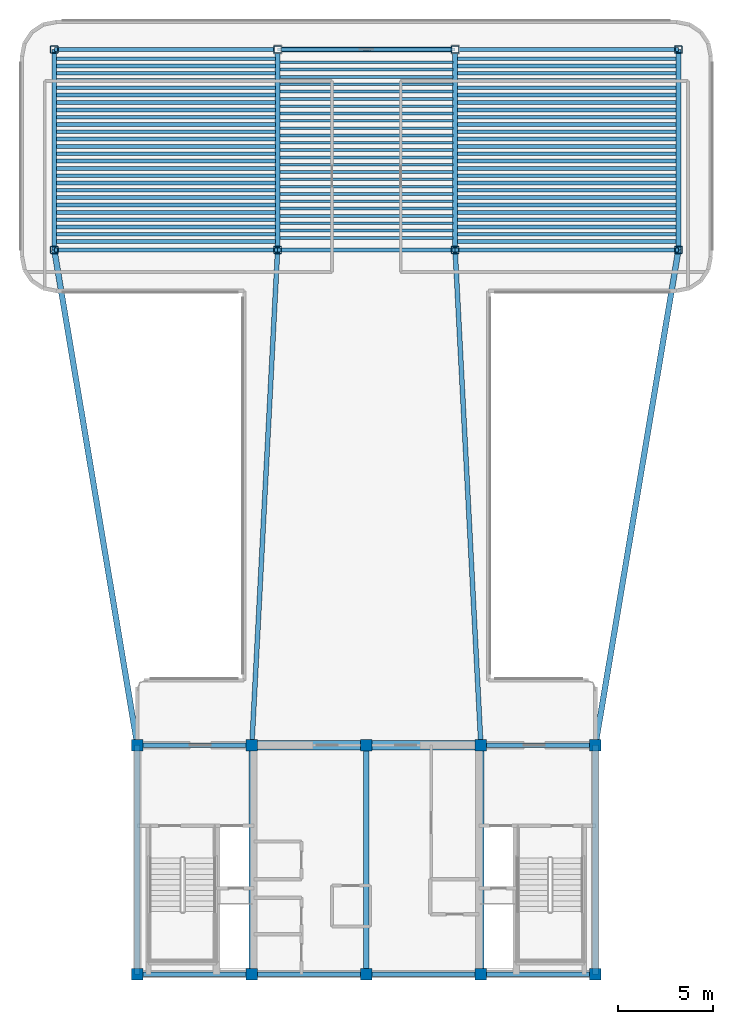
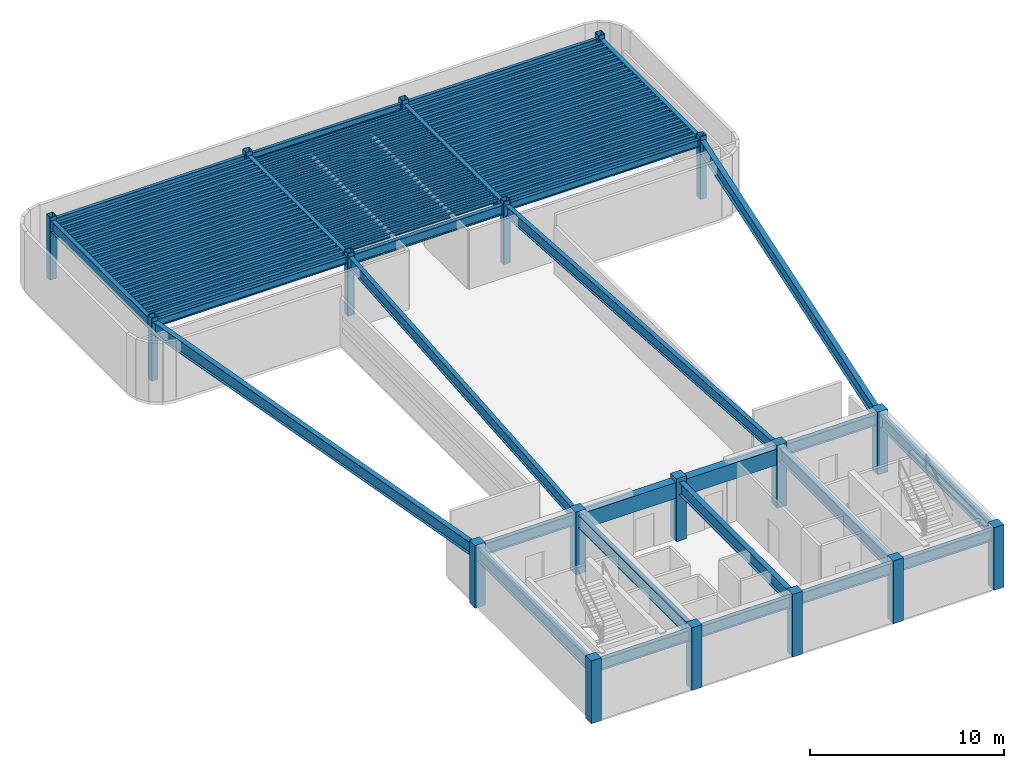
# One storey, part 1 of 6: 103 beams, 18 columns, 3 members.
"""IFC4 building model written with IfcOpenShell, lengths in metres."""

from ifc_helpers import new_model, si_unit, direction, frame, origin, origin_2d, place, context, subcontext, project, spatial, rectangle, hollow_rectangle, i_section, extrude, source, transform, mapped, material, material_profile, profile_set, type_object, element, save


model = new_model("IFC4")

# Units and contexts
model_context = context("Model", 3, precision=1e-05, world=origin(), true_north=direction((0.0, 1.0)))
body_context = subcontext(model_context, "Body", "Model", "MODEL_VIEW")
ifc_project = project(units=[si_unit("LENGTHUNIT", "METRE"), si_unit("AREAUNIT", "SQUARE_METRE"), si_unit("VOLUMEUNIT", "CUBIC_METRE"), si_unit("PLANEANGLEUNIT", "RADIAN"), si_unit("MASSUNIT", "GRAM", prefix="KILO")], contexts=[model_context])

# Site, building, storey
site_placement = place(None, origin())
site = spatial("IfcSite", under=ifc_project, at=site_placement, CompositionType="ELEMENT")
building_placement = place(site_placement, origin())
building = spatial("IfcBuilding", under=site, at=building_placement, Name="Brelvock Crest Care Tower", CompositionType="ELEMENT")
storey_placement = place(building_placement, frame((0.0, 0.0, 303.840087890625)))
storey = spatial("IfcBuildingStorey", under=building, at=storey_placement, Name="L77", CompositionType="ELEMENT", Elevation=303.840087890625)

# Columns
ifc_material_1 = material(Name="Concrete S65 (65 MPa)", Category="concrete")
ifc_material_profile_1 = material_profile(ifc_material_1, rectangle(XDim=0.60009765625, YDim=0.60009765625, at=origin_2d()), Name="RC600x600")
ifc_profile_set_1 = profile_set([ifc_material_profile_1], Name="Concrete S65 (65 MPa)")
column_type_1 = type_object("IfcColumnType", Name="COL-RC4", PredefinedType="COLUMN", material=ifc_profile_set_1)
shared_shape_1 = source(origin(), body_context, "Body", "SweptSolid", [
    extrude(rectangle(XDim=0.60009765625, YDim=0.60009765625, at=origin_2d()), origin(), (0.0, 0.0, 1.0), 3.9599609375),
])
for number, where, z_axis, x_axis, name in (
    (1, (24.0, 6.0, 0.0), (0.0, 0.0, 1.0), (1.0, 0.0, 0.0), "L77 Core Column CC-01"),
    (2, (30.0, 6.0, 0.0), (0.0, 0.0, 1.0), (1.0, 0.0, 0.0), "L77 Core Column CC-02"),
    (3, (36.0, 6.0, 0.0), (0.0, 0.0, 1.0), (1.0, 0.0, 0.0), "L77 Core Column CC-03"),
    (4, (42.0, 6.0, 0.0), (0.0, 0.0, 1.0), (1.0, 0.0, 0.0), "L77 Core Column CC-04"),
    (5, (48.0, 6.0, 0.0), (0.0, 0.0, 1.0), (1.0, 0.0, 0.0), "L77 Core Column CC-05"),
    (6, (24.0, 18.0, 0.0), (0.0, 0.0, 1.0), (1.0, 0.0, 0.0), "L77 Core Column CC-06"),
    (7, (30.0, 18.0, 0.0), (0.0, 0.0, 1.0), (1.0, 0.0, 0.0), "L77 Core Column CC-07"),
    (8, (36.0, 18.0, 0.0), (0.0, 0.0, 1.0), (1.0, 0.0, 0.0), "L77 Core Column CC-08"),
    (9, (42.0, 18.0, 0.0), (0.0, 0.0, 1.0), (1.0, 0.0, 0.0), "L77 Core Column CC-09"),
    (10, (48.0, 18.0, 0.0), (0.0, 0.0, 1.0), (1.0, 0.0, 0.0), "L77 Core Column CC-10"),
):
    element("IfcColumn", number, at=place(storey_placement, frame(where, z_axis=z_axis, x_axis=x_axis)), inside=storey, type_object=column_type_1, Name=name, PredefinedType="COLUMN", context=body_context, shape_type="MappedRepresentation", body=[
        mapped(shared_shape_1, transform((0.0, 0.0, 0.0), x_axis=(1.0, 0.0, 0.0), y_axis=(0.0, 1.0, 0.0), z_axis=(0.0, 0.0, 1.0), scale=1.0)),
    ])
ifc_material_2 = material(Name="Steel Grade 350", Category="steel")
ifc_material_profile_2 = material_profile(ifc_material_2, hollow_rectangle(XDim=0.39990234375, YDim=0.39990234375, WallThickness=0.02001953125, OuterFilletRadius=0.0400390625, at=origin_2d()), Name="SHS400x400x20.0")
ifc_profile_set_2 = profile_set([ifc_material_profile_2], Name="Steel Grade 350")
column_type_2 = type_object("IfcColumnType", Name="COL-CR1", PredefinedType="COLUMN", material=ifc_profile_set_2)
shared_shape_2 = source(origin(), body_context, "Body", "SweptSolid", [
    extrude(hollow_rectangle(XDim=0.39990234375, YDim=0.39990234375, WallThickness=0.02001953125, OuterFilletRadius=0.0400390625, at=origin_2d()), origin(), (0.0, 0.0, 1.0), 3.9599609375),
])
for number, where, z_axis, x_axis, name in (
    (11, (19.64990234375, 43.949951171875, 0.0), (0.0, 0.0, 1.0), (1.0, 0.0, 0.0), "L77 Tower Column M1"),
    (12, (19.64990234375, 54.449951171875, 0.0), (0.0, 0.0, 1.0), (1.0, 0.0, 0.0), "L77 Tower Column M2"),
    (13, (52.35009765625, 43.949951171875, 0.0), (0.0, 0.0, 1.0), (1.0, 0.0, 0.0), "L77 Tower Column M3"),
    (14, (52.35009765625, 54.449951171875, 0.0), (0.0, 0.0, 1.0), (1.0, 0.0, 0.0), "L77 Tower Column M4"),
    (15, (31.35009765625, 43.949951171875, 0.0), (0.0, 0.0, 1.0), (1.0, 0.0, 0.0), "L77 Tower Column M5"),
    (16, (40.64990234375, 43.949951171875, 0.0), (0.0, 0.0, 1.0), (1.0, 0.0, 0.0), "L77 Tower Column M6"),
    (17, (31.35009765625, 54.449951171875, 0.0), (0.0, 0.0, 1.0), (1.0, 0.0, 0.0), "L77 Tower Column M7"),
    (18, (40.64990234375, 54.449951171875, 0.0), (0.0, 0.0, 1.0), (1.0, 0.0, 0.0), "L77 Tower Column M8"),
):
    element("IfcColumn", number, at=place(storey_placement, frame(where, z_axis=z_axis, x_axis=x_axis)), inside=storey, type_object=column_type_2, Name=name, PredefinedType="COLUMN", context=body_context, shape_type="MappedRepresentation", body=[
        mapped(shared_shape_2, transform((0.0, 0.0, 0.0), x_axis=(1.0, 0.0, 0.0), y_axis=(0.0, 1.0, 0.0), z_axis=(0.0, 0.0, 1.0), scale=1.0)),
    ])

# Beams
ifc_material_profile_3 = material_profile(ifc_material_2, i_section(OverallWidth=0.25, OverallDepth=0.699951171875, WebThickness=0.011962890625, FlangeThickness=0.02001953125, at=origin_2d()), Name="700WB150")
ifc_profile_set_3 = profile_set([ifc_material_profile_3], Name="Steel Grade 350")
beam_type_1 = type_object("IfcBeamType", Name="BM-G4", PredefinedType="BEAM", material=ifc_profile_set_3)
shared_shape_3 = source(origin(), body_context, "Body", "SweptSolid", [
    extrude(i_section(OverallWidth=0.25, OverallDepth=0.699951171875, WebThickness=0.011962890625, FlangeThickness=0.02001953125, at=origin_2d()), origin(), (0.0, 0.0, 1.0), 6.0),
])
for number, where, z_axis, x_axis, name in (
    (19, (24.0, 6.0, 3.35986328125), (1.0, 0.0, 0.0), (0.0, 1.0, 0.0), "BM-CORES-L77-1"),
    (20, (24.0, 18.0, 3.35986328125), (1.0, 0.0, 0.0), (0.0, 1.0, 0.0), "BM-COREN-L77-1"),
    (21, (30.0, 6.0, 3.35986328125), (1.0, 0.0, 0.0), (0.0, 1.0, 0.0), "BM-CORES-L77-2"),
    (22, (36.0, 6.0, 3.35986328125), (1.0, 0.0, 0.0), (0.0, 1.0, 0.0), "BM-CORES-L77-3"),
    (23, (42.0, 6.0, 3.35986328125), (1.0, 0.0, 0.0), (0.0, 1.0, 0.0), "BM-CORES-L77-4"),
    (24, (42.0, 18.0, 3.35986328125), (1.0, 0.0, 0.0), (0.0, 1.0, 0.0), "BM-COREN-L77-4"),
):
    element("IfcBeam", number, at=place(storey_placement, frame(where, z_axis=z_axis, x_axis=x_axis)), inside=storey, type_object=beam_type_1, Name=name, PredefinedType="BEAM", context=body_context, shape_type="MappedRepresentation", body=[
        mapped(shared_shape_3, transform((0.0, 0.0, 0.0), x_axis=(1.0, 0.0, 0.0), y_axis=(0.0, 1.0, 0.0), z_axis=(0.0, 0.0, 1.0), scale=1.0)),
    ])
ifc_material_profile_4 = material_profile(ifc_material_2, i_section(OverallWidth=0.300048828125, OverallDepth=0.800048828125, WebThickness=0.013916015625, FlangeThickness=0.02197265625, at=origin_2d()), Name="800WB192")
ifc_profile_set_4 = profile_set([ifc_material_profile_4], Name="Steel Grade 350")
beam_type_2 = type_object("IfcBeamType", Name="BM-G5", PredefinedType="BEAM", material=ifc_profile_set_4)
shared_shape_4 = source(origin(), body_context, "Body", "SweptSolid", [
    extrude(i_section(OverallWidth=0.300048828125, OverallDepth=0.800048828125, WebThickness=0.013916015625, FlangeThickness=0.02197265625, at=origin_2d()), origin(), (0.0, 0.0, 1.0), 12.0),
])
for number, where, z_axis, x_axis, name in (
    (25, (24.0, 6.0, 3.309814453125), (0.0, 1.0, 0.0), (-1.0, 0.0, 0.0), "BM-COREX-L77-1"),
    (26, (30.0, 6.0, 3.309814453125), (0.0, 1.0, 0.0), (-1.0, 0.0, 0.0), "BM-COREX-L77-2"),
    (27, (36.0, 6.0, 3.309814453125), (0.0, 1.0, 0.0), (-1.0, 0.0, 0.0), "BM-COREX-L77-3"),
    (28, (42.0, 6.0, 3.309814453125), (0.0, 1.0, 0.0), (-1.0, 0.0, 0.0), "BM-COREX-L77-4"),
    (29, (48.0, 6.0, 3.309814453125), (0.0, 1.0, 0.0), (-1.0, 0.0, 0.0), "BM-COREX-L77-5"),
):
    element("IfcBeam", number, at=place(storey_placement, frame(where, z_axis=z_axis, x_axis=x_axis)), inside=storey, type_object=beam_type_2, Name=name, PredefinedType="BEAM", context=body_context, shape_type="MappedRepresentation", body=[
        mapped(shared_shape_4, transform((0.0, 0.0, 0.0), x_axis=(1.0, 0.0, 0.0), y_axis=(0.0, 1.0, 0.0), z_axis=(0.0, 0.0, 1.0), scale=1.0)),
    ])
shared_shape_5 = source(origin(), body_context, "Body", "SweptSolid", [
    extrude(i_section(OverallWidth=0.25, OverallDepth=0.699951171875, WebThickness=0.011962890625, FlangeThickness=0.02001953125, at=origin_2d()), origin(), (0.0, 0.0, 1.0), 10.5),
])
for number, where, z_axis, x_axis, name in (
    (30, (19.64990234375, 43.949951171875, 3.35986328125), (0.0, 1.0, 0.0), (-1.0, 0.0, 0.0), "BM-TWR-L77-01"),
    (31, (52.35009765625, 43.949951171875, 3.35986328125), (0.0, 1.0, 0.0), (-1.0, 0.0, 0.0), "BM-TWR-L77-02"),
    (32, (31.35009765625, 43.949951171875, 3.35986328125), (0.0, 1.0, 0.0), (-1.0, 0.0, 0.0), "BM-TWR-L77-09"),
    (33, (40.64990234375, 43.949951171875, 3.35986328125), (0.0, 1.0, 0.0), (-1.0, 0.0, 0.0), "BM-TWR-L77-10"),
):
    element("IfcBeam", number, at=place(storey_placement, frame(where, z_axis=z_axis, x_axis=x_axis)), inside=storey, type_object=beam_type_1, Name=name, PredefinedType="BEAM", context=body_context, shape_type="MappedRepresentation", body=[
        mapped(shared_shape_5, transform((0.0, 0.0, 0.0), x_axis=(1.0, 0.0, 0.0), y_axis=(0.0, 1.0, 0.0), z_axis=(0.0, 0.0, 1.0), scale=1.0)),
    ])
ifc_material_profile_5 = material_profile(ifc_material_2, i_section(OverallWidth=0.22900390625, OverallDepth=0.612060546875, WebThickness=0.011962890625, FlangeThickness=0.01953125, FilletRadius=0.013916015625, at=origin_2d()), Name="610UB125")
ifc_profile_set_5 = profile_set([ifc_material_profile_5], Name="Steel Grade 350")
beam_type_3 = type_object("IfcBeamType", Name="BM-G1", PredefinedType="BEAM", material=ifc_profile_set_5)
shared_shape_6 = source(origin(), body_context, "Body", "SweptSolid", [
    extrude(i_section(OverallWidth=0.22900390625, OverallDepth=0.612060546875, WebThickness=0.011962890625, FlangeThickness=0.01953125, FilletRadius=0.013916015625, at=origin_2d()), origin(), (0.0, 0.0, 1.0), 9.2998046875),
])
beam_1_placement = place(storey_placement, frame((31.35009765625, 43.949951171875, 3.40380859375), z_axis=(1.0, 0.0, 0.0), x_axis=(0.0, 1.0, 0.0)))
element("IfcBeam", 34, at=beam_1_placement, inside=storey, type_object=beam_type_3, Name="BM-TWR-L77-05", PredefinedType="BEAM", context=body_context, shape_type="MappedRepresentation", body=[
    mapped(shared_shape_6, transform((0.0, 0.0, 0.0), x_axis=(1.0, 0.0, 0.0), y_axis=(0.0, 1.0, 0.0), z_axis=(0.0, 0.0, 1.0), scale=1.0)),
])
ifc_material_profile_6 = material_profile(ifc_material_2, i_section(OverallWidth=0.177978515625, OverallDepth=0.406005859375, WebThickness=0.0078125, FlangeThickness=0.0126953125, FilletRadius=0.011474609375, at=origin_2d()), Name="410UB59.7")
ifc_profile_set_6 = profile_set([ifc_material_profile_6], Name="Steel Grade 350")
beam_type_4 = type_object("IfcBeamType", Name="BM-SP1", PredefinedType="SPANDREL", material=ifc_profile_set_6)
shared_shape_7 = source(origin(), body_context, "Body", "SweptSolid", [
    extrude(i_section(OverallWidth=0.177978515625, OverallDepth=0.406005859375, WebThickness=0.0078125, FlangeThickness=0.0126953125, FilletRadius=0.011474609375, at=origin_2d()), origin(), (0.0, 0.0, 1.0), 9.2998046875),
])
beam_2_placement = place(storey_placement, frame((31.35009765625, 54.449951171875, 3.5068359375), z_axis=(1.0, 0.0, 0.0), x_axis=(0.0, 1.0, 0.0)))
element("IfcBeam", 35, at=beam_2_placement, inside=storey, type_object=beam_type_4, Name="BM-TWR-L77-08", PredefinedType="SPANDREL", context=body_context, shape_type="MappedRepresentation", body=[
    mapped(shared_shape_7, transform((0.0, 0.0, 0.0), x_axis=(1.0, 0.0, 0.0), y_axis=(0.0, 1.0, 0.0), z_axis=(0.0, 0.0, 1.0), scale=1.0)),
])
ifc_material_profile_7 = material_profile(ifc_material_2, i_section(OverallWidth=0.14599609375, OverallDepth=0.256103515625, WebThickness=0.00634765625, FlangeThickness=0.010986328125, FilletRadius=0.0087890625, at=origin_2d()), Name="250UB37.3")
ifc_profile_set_7 = profile_set([ifc_material_profile_7], Name="Steel Grade 350")
beam_type_5 = type_object("IfcBeamType", Name="BM-J3", PredefinedType="JOIST", material=ifc_profile_set_7)
shared_shape_8 = source(origin(), body_context, "Body", "SweptSolid", [
    extrude(i_section(OverallWidth=0.14599609375, OverallDepth=0.256103515625, WebThickness=0.00634765625, FlangeThickness=0.010986328125, FilletRadius=0.0087890625, at=origin_2d()), origin(), (0.0, 0.0, 1.0), 9.06982421875),
])
for number, where, z_axis, x_axis, name in (
    (36, (31.465087890625, 44.58251953125, 3.58203125), (1.0, 0.0, 0.0), (0.0, 1.0, 0.0), "BM-JH-L77-1"),
    (37, (31.465087890625, 44.9658203125, 3.58203125), (1.0, 0.0, 0.0), (0.0, 1.0, 0.0), "BM-JH-L77-2"),
    (38, (31.465087890625, 45.34912109375, 3.58203125), (1.0, 0.0, 0.0), (0.0, 1.0, 0.0), "BM-JH-L77-3"),
    (39, (31.465087890625, 45.732421875, 3.58203125), (1.0, 0.0, 0.0), (0.0, 1.0, 0.0), "BM-JH-L77-4"),
    (40, (31.465087890625, 46.115478515625, 3.58203125), (1.0, 0.0, 0.0), (0.0, 1.0, 0.0), "BM-JH-L77-5"),
    (41, (31.465087890625, 46.498779296875, 3.58203125), (1.0, 0.0, 0.0), (0.0, 1.0, 0.0), "BM-JH-L77-6"),
    (42, (31.465087890625, 46.882080078125, 3.58203125), (1.0, 0.0, 0.0), (0.0, 1.0, 0.0), "BM-JH-L77-7"),
    (43, (31.465087890625, 47.265380859375, 3.58203125), (1.0, 0.0, 0.0), (0.0, 1.0, 0.0), "BM-JH-L77-8"),
    (44, (31.465087890625, 47.648681640625, 3.58203125), (1.0, 0.0, 0.0), (0.0, 1.0, 0.0), "BM-JH-L77-9"),
    (45, (31.465087890625, 48.031982421875, 3.58203125), (1.0, 0.0, 0.0), (0.0, 1.0, 0.0), "BM-JH-L77-10"),
    (46, (31.465087890625, 48.4150390625, 3.58203125), (1.0, 0.0, 0.0), (0.0, 1.0, 0.0), "BM-JH-L77-11"),
    (47, (31.465087890625, 48.79833984375, 3.58203125), (1.0, 0.0, 0.0), (0.0, 1.0, 0.0), "BM-JH-L77-12"),
    (48, (31.465087890625, 49.181640625, 3.58203125), (1.0, 0.0, 0.0), (0.0, 1.0, 0.0), "BM-JH-L77-13"),
    (49, (31.465087890625, 49.564697265625, 3.58203125), (1.0, 0.0, 0.0), (0.0, 1.0, 0.0), "BM-JH-L77-14"),
    (50, (31.465087890625, 49.947998046875, 3.58203125), (1.0, 0.0, 0.0), (0.0, 1.0, 0.0), "BM-JH-L77-15"),
    (51, (31.465087890625, 50.331298828125, 3.58203125), (1.0, 0.0, 0.0), (0.0, 1.0, 0.0), "BM-JH-L77-16"),
    (52, (31.465087890625, 50.714599609375, 3.58203125), (1.0, 0.0, 0.0), (0.0, 1.0, 0.0), "BM-JH-L77-17"),
    (53, (31.465087890625, 51.097900390625, 3.58203125), (1.0, 0.0, 0.0), (0.0, 1.0, 0.0), "BM-JH-L77-18"),
    (54, (31.465087890625, 51.481201171875, 3.58203125), (1.0, 0.0, 0.0), (0.0, 1.0, 0.0), "BM-JH-L77-19"),
    (55, (31.465087890625, 51.864501953125, 3.58203125), (1.0, 0.0, 0.0), (0.0, 1.0, 0.0), "BM-JH-L77-20"),
    (56, (31.465087890625, 52.24755859375, 3.58203125), (1.0, 0.0, 0.0), (0.0, 1.0, 0.0), "BM-JH-L77-21"),
    (57, (31.465087890625, 52.630859375, 3.58203125), (1.0, 0.0, 0.0), (0.0, 1.0, 0.0), "BM-JH-L77-22"),
    (58, (31.465087890625, 53.01416015625, 3.58203125), (1.0, 0.0, 0.0), (0.0, 1.0, 0.0), "BM-JH-L77-23"),
    (59, (31.465087890625, 53.3974609375, 3.58203125), (1.0, 0.0, 0.0), (0.0, 1.0, 0.0), "BM-JH-L77-24"),
    (60, (31.465087890625, 53.780517578125, 3.58203125), (1.0, 0.0, 0.0), (0.0, 1.0, 0.0), "BM-JH-L77-25"),
):
    element("IfcBeam", number, at=place(storey_placement, frame(where, z_axis=z_axis, x_axis=x_axis)), inside=storey, type_object=beam_type_5, Name=name, PredefinedType="JOIST", context=body_context, shape_type="MappedRepresentation", body=[
        mapped(shared_shape_8, transform((0.0, 0.0, 0.0), x_axis=(1.0, 0.0, 0.0), y_axis=(0.0, 1.0, 0.0), z_axis=(0.0, 0.0, 1.0), scale=1.0)),
    ])
ifc_material_profile_8 = material_profile(ifc_material_1, rectangle(XDim=0.5, YDim=1.0, at=origin_2d()), Name="RC500x1000")
ifc_profile_set_8 = profile_set([ifc_material_profile_8], Name="Concrete S65 (65 MPa)")
beam_type_6 = type_object("IfcBeamType", Name="BM-LN2", PredefinedType="LINTEL", material=ifc_profile_set_8)
shared_shape_9 = source(origin(), body_context, "Body", "SweptSolid", [
    extrude(rectangle(XDim=0.5, YDim=1.0, at=origin_2d()), origin(), (0.0, 0.0, 1.0), 12.0),
])
beam_3_placement = place(storey_placement, frame((30.0, 18.0, 3.2099609375), z_axis=(1.0, 0.0, 0.0), x_axis=(0.0, 1.0, 0.0)))
element("IfcBeam", 61, at=beam_3_placement, inside=storey, type_object=beam_type_6, Name="L77 Core Coupling Lintel Beam", PredefinedType="LINTEL", context=body_context, shape_type="MappedRepresentation", body=[
    mapped(shared_shape_9, transform((0.0, 0.0, 0.0), x_axis=(1.0, 0.0, 0.0), y_axis=(0.0, 1.0, 0.0), z_axis=(0.0, 0.0, 1.0), scale=1.0)),
])
ifc_material_profile_9 = material_profile(ifc_material_2, i_section(OverallWidth=0.19091796875, OverallDepth=0.4599609375, WebThickness=0.010009765625, FlangeThickness=0.01611328125, FilletRadius=0.011474609375, at=origin_2d()), Name="460UB82.1")
ifc_profile_set_9 = profile_set([ifc_material_profile_9], Name="Steel Grade 350")
beam_type_7 = type_object("IfcBeamType", Name="BM-G3", PredefinedType="BEAM", material=ifc_profile_set_9)
shared_shape_10 = source(origin(), body_context, "Body", "SweptSolid", [
    extrude(i_section(OverallWidth=0.19091796875, OverallDepth=0.4599609375, WebThickness=0.010009765625, FlangeThickness=0.01611328125, FilletRadius=0.011474609375, at=origin_2d()), origin(), (0.0, 0.0, 1.0), 11.47021484375),
])
for number, where, z_axis, x_axis, name in (
    (62, (19.764892578125, 44.7744140625, 3.47998046875), (1.0, 0.0, 0.0), (0.0, 1.0, 0.0), "BM-JW-L77-2"),
    (63, (40.764892578125, 44.7744140625, 3.47998046875), (1.0, 0.0, 0.0), (0.0, 1.0, 0.0), "BM-JE-L77-2"),
    (64, (19.764892578125, 45.540771484375, 3.47998046875), (1.0, 0.0, 0.0), (0.0, 1.0, 0.0), "BM-JW-L77-4"),
    (65, (40.764892578125, 45.540771484375, 3.47998046875), (1.0, 0.0, 0.0), (0.0, 1.0, 0.0), "BM-JE-L77-4"),
    (66, (19.764892578125, 46.307373046875, 3.47998046875), (1.0, 0.0, 0.0), (0.0, 1.0, 0.0), "BM-JW-L77-6"),
    (67, (40.764892578125, 46.307373046875, 3.47998046875), (1.0, 0.0, 0.0), (0.0, 1.0, 0.0), "BM-JE-L77-6"),
    (68, (19.764892578125, 47.07373046875, 3.47998046875), (1.0, 0.0, 0.0), (0.0, 1.0, 0.0), "BM-JW-L77-8"),
    (69, (40.764892578125, 47.07373046875, 3.47998046875), (1.0, 0.0, 0.0), (0.0, 1.0, 0.0), "BM-JE-L77-8"),
    (70, (19.764892578125, 47.84033203125, 3.47998046875), (1.0, 0.0, 0.0), (0.0, 1.0, 0.0), "BM-JW-L77-10"),
    (71, (40.764892578125, 47.84033203125, 3.47998046875), (1.0, 0.0, 0.0), (0.0, 1.0, 0.0), "BM-JE-L77-10"),
    (72, (19.764892578125, 48.606689453125, 3.47998046875), (1.0, 0.0, 0.0), (0.0, 1.0, 0.0), "BM-JW-L77-12"),
    (73, (40.764892578125, 48.606689453125, 3.47998046875), (1.0, 0.0, 0.0), (0.0, 1.0, 0.0), "BM-JE-L77-12"),
    (74, (19.764892578125, 49.373291015625, 3.47998046875), (1.0, 0.0, 0.0), (0.0, 1.0, 0.0), "BM-JW-L77-14"),
    (75, (40.764892578125, 49.373291015625, 3.47998046875), (1.0, 0.0, 0.0), (0.0, 1.0, 0.0), "BM-JE-L77-14"),
    (76, (19.764892578125, 50.139892578125, 3.47998046875), (1.0, 0.0, 0.0), (0.0, 1.0, 0.0), "BM-JW-L77-16"),
    (77, (40.764892578125, 50.139892578125, 3.47998046875), (1.0, 0.0, 0.0), (0.0, 1.0, 0.0), "BM-JE-L77-16"),
    (78, (19.764892578125, 50.90625, 3.47998046875), (1.0, 0.0, 0.0), (0.0, 1.0, 0.0), "BM-JW-L77-18"),
    (79, (40.764892578125, 50.90625, 3.47998046875), (1.0, 0.0, 0.0), (0.0, 1.0, 0.0), "BM-JE-L77-18"),
    (80, (19.764892578125, 51.6728515625, 3.47998046875), (1.0, 0.0, 0.0), (0.0, 1.0, 0.0), "BM-JW-L77-20"),
    (81, (40.764892578125, 51.6728515625, 3.47998046875), (1.0, 0.0, 0.0), (0.0, 1.0, 0.0), "BM-JE-L77-20"),
    (82, (19.764892578125, 52.439208984375, 3.47998046875), (1.0, 0.0, 0.0), (0.0, 1.0, 0.0), "BM-JW-L77-22"),
    (83, (40.764892578125, 52.439208984375, 3.47998046875), (1.0, 0.0, 0.0), (0.0, 1.0, 0.0), "BM-JE-L77-22"),
    (84, (19.764892578125, 53.205810546875, 3.47998046875), (1.0, 0.0, 0.0), (0.0, 1.0, 0.0), "BM-JW-L77-24"),
    (85, (40.764892578125, 53.205810546875, 3.47998046875), (1.0, 0.0, 0.0), (0.0, 1.0, 0.0), "BM-JE-L77-24"),
    (86, (19.764892578125, 53.972412109375, 3.47998046875), (1.0, 0.0, 0.0), (0.0, 1.0, 0.0), "BM-JW-L77-26"),
    (87, (40.764892578125, 53.972412109375, 3.47998046875), (1.0, 0.0, 0.0), (0.0, 1.0, 0.0), "BM-JE-L77-26"),
):
    element("IfcBeam", number, at=place(storey_placement, frame(where, z_axis=z_axis, x_axis=x_axis)), inside=storey, type_object=beam_type_7, Name=name, PredefinedType="BEAM", context=body_context, shape_type="MappedRepresentation", body=[
        mapped(shared_shape_10, transform((0.0, 0.0, 0.0), x_axis=(1.0, 0.0, 0.0), y_axis=(0.0, 1.0, 0.0), z_axis=(0.0, 0.0, 1.0), scale=1.0)),
    ])
ifc_material_profile_10 = material_profile(ifc_material_2, i_section(OverallWidth=0.208984375, OverallDepth=0.532958984375, WebThickness=0.01025390625, FlangeThickness=0.015625, FilletRadius=0.013916015625, at=origin_2d()), Name="530UB92.4")
ifc_profile_set_10 = profile_set([ifc_material_profile_10], Name="Steel Grade 350")
beam_type_8 = type_object("IfcBeamType", Name="BM-G2", PredefinedType="BEAM", material=ifc_profile_set_10)
shared_shape_11 = source(origin(), body_context, "Body", "SweptSolid", [
    extrude(i_section(OverallWidth=0.208984375, OverallDepth=0.532958984375, WebThickness=0.01025390625, FlangeThickness=0.015625, FilletRadius=0.013916015625, at=origin_2d()), origin(), (0.0, 0.0, 1.0), 11.47021484375),
])
for number, where, z_axis, x_axis, name in (
    (88, (19.764892578125, 44.39111328125, 3.443359375), (1.0, 0.0, 0.0), (0.0, 1.0, 0.0), "BM-JW-L77-1"),
    (89, (40.764892578125, 44.39111328125, 3.443359375), (1.0, 0.0, 0.0), (0.0, 1.0, 0.0), "BM-JE-L77-1"),
    (90, (19.764892578125, 45.157470703125, 3.443359375), (1.0, 0.0, 0.0), (0.0, 1.0, 0.0), "BM-JW-L77-3"),
    (91, (40.764892578125, 45.157470703125, 3.443359375), (1.0, 0.0, 0.0), (0.0, 1.0, 0.0), "BM-JE-L77-3"),
    (92, (19.764892578125, 45.924072265625, 3.443359375), (1.0, 0.0, 0.0), (0.0, 1.0, 0.0), "BM-JW-L77-5"),
    (93, (40.764892578125, 45.924072265625, 3.443359375), (1.0, 0.0, 0.0), (0.0, 1.0, 0.0), "BM-JE-L77-5"),
    (94, (19.764892578125, 46.6904296875, 3.443359375), (1.0, 0.0, 0.0), (0.0, 1.0, 0.0), "BM-JW-L77-7"),
    (95, (40.764892578125, 46.6904296875, 3.443359375), (1.0, 0.0, 0.0), (0.0, 1.0, 0.0), "BM-JE-L77-7"),
    (96, (19.764892578125, 47.45703125, 3.443359375), (1.0, 0.0, 0.0), (0.0, 1.0, 0.0), "BM-JW-L77-9"),
    (97, (40.764892578125, 47.45703125, 3.443359375), (1.0, 0.0, 0.0), (0.0, 1.0, 0.0), "BM-JE-L77-9"),
    (98, (19.764892578125, 48.223388671875, 3.443359375), (1.0, 0.0, 0.0), (0.0, 1.0, 0.0), "BM-JW-L77-11"),
    (99, (40.764892578125, 48.223388671875, 3.443359375), (1.0, 0.0, 0.0), (0.0, 1.0, 0.0), "BM-JE-L77-11"),
    (100, (19.764892578125, 48.989990234375, 3.443359375), (1.0, 0.0, 0.0), (0.0, 1.0, 0.0), "BM-JW-L77-13"),
    (101, (40.764892578125, 48.989990234375, 3.443359375), (1.0, 0.0, 0.0), (0.0, 1.0, 0.0), "BM-JE-L77-13"),
    (102, (19.764892578125, 49.756591796875, 3.443359375), (1.0, 0.0, 0.0), (0.0, 1.0, 0.0), "BM-JW-L77-15"),
    (103, (40.764892578125, 49.756591796875, 3.443359375), (1.0, 0.0, 0.0), (0.0, 1.0, 0.0), "BM-JE-L77-15"),
    (104, (19.764892578125, 50.52294921875, 3.443359375), (1.0, 0.0, 0.0), (0.0, 1.0, 0.0), "BM-JW-L77-17"),
    (105, (40.764892578125, 50.52294921875, 3.443359375), (1.0, 0.0, 0.0), (0.0, 1.0, 0.0), "BM-JE-L77-17"),
    (106, (19.764892578125, 51.28955078125, 3.443359375), (1.0, 0.0, 0.0), (0.0, 1.0, 0.0), "BM-JW-L77-19"),
    (107, (40.764892578125, 51.28955078125, 3.443359375), (1.0, 0.0, 0.0), (0.0, 1.0, 0.0), "BM-JE-L77-19"),
    (108, (19.764892578125, 52.055908203125, 3.443359375), (1.0, 0.0, 0.0), (0.0, 1.0, 0.0), "BM-JW-L77-21"),
    (109, (40.764892578125, 52.055908203125, 3.443359375), (1.0, 0.0, 0.0), (0.0, 1.0, 0.0), "BM-JE-L77-21"),
    (110, (19.764892578125, 52.822509765625, 3.443359375), (1.0, 0.0, 0.0), (0.0, 1.0, 0.0), "BM-JW-L77-23"),
    (111, (40.764892578125, 52.822509765625, 3.443359375), (1.0, 0.0, 0.0), (0.0, 1.0, 0.0), "BM-JE-L77-23"),
    (112, (19.764892578125, 53.589111328125, 3.443359375), (1.0, 0.0, 0.0), (0.0, 1.0, 0.0), "BM-JW-L77-25"),
    (113, (40.764892578125, 53.589111328125, 3.443359375), (1.0, 0.0, 0.0), (0.0, 1.0, 0.0), "BM-JE-L77-25"),
):
    element("IfcBeam", number, at=place(storey_placement, frame(where, z_axis=z_axis, x_axis=x_axis)), inside=storey, type_object=beam_type_8, Name=name, PredefinedType="BEAM", context=body_context, shape_type="MappedRepresentation", body=[
        mapped(shared_shape_11, transform((0.0, 0.0, 0.0), x_axis=(1.0, 0.0, 0.0), y_axis=(0.0, 1.0, 0.0), z_axis=(0.0, 0.0, 1.0), scale=1.0)),
    ])
ifc_material_profile_11 = material_profile(ifc_material_2, i_section(OverallWidth=0.19091796875, OverallDepth=0.4599609375, WebThickness=0.010009765625, FlangeThickness=0.01611328125, FilletRadius=0.011474609375, at=origin_2d()), Name="460UB82.1")
ifc_profile_set_11 = profile_set([ifc_material_profile_11], Name="Steel Grade 350")
beam_type_9 = type_object("IfcBeamType", Name="BM-SP2", PredefinedType="SPANDREL", material=ifc_profile_set_11)
shared_shape_12 = source(origin(), body_context, "Body", "SweptSolid", [
    extrude(i_section(OverallWidth=0.19091796875, OverallDepth=0.4599609375, WebThickness=0.010009765625, FlangeThickness=0.01611328125, FilletRadius=0.011474609375, at=origin_2d()), origin(), (0.0, 0.0, 1.0), 11.7001953125),
])
for number, where, z_axis, x_axis, name in (
    (114, (19.64990234375, 43.949951171875, 3.47998046875), (1.0, 0.0, 0.0), (0.0, 1.0, 0.0), "BM-TWR-L77-03"),
    (115, (40.64990234375, 43.949951171875, 3.47998046875), (1.0, 0.0, 0.0), (0.0, 1.0, 0.0), "BM-TWR-L77-04"),
    (116, (19.64990234375, 54.449951171875, 3.47998046875), (1.0, 0.0, 0.0), (0.0, 1.0, 0.0), "BM-TWR-L77-06"),
    (117, (40.64990234375, 54.449951171875, 3.47998046875), (1.0, 0.0, 0.0), (0.0, 1.0, 0.0), "BM-TWR-L77-07"),
):
    element("IfcBeam", number, at=place(storey_placement, frame(where, z_axis=z_axis, x_axis=x_axis)), inside=storey, type_object=beam_type_9, Name=name, PredefinedType="SPANDREL", context=body_context, shape_type="MappedRepresentation", body=[
        mapped(shared_shape_12, transform((0.0, 0.0, 0.0), x_axis=(1.0, 0.0, 0.0), y_axis=(0.0, 1.0, 0.0), z_axis=(0.0, 0.0, 1.0), scale=1.0)),
    ])
shared_shape_13 = source(origin(), body_context, "Body", "SweptSolid", [
    extrude(i_section(OverallWidth=0.25, OverallDepth=0.699951171875, WebThickness=0.011962890625, FlangeThickness=0.02001953125, at=origin_2d()), origin(), (0.0, 0.0, 1.0), 25.985107421875),
])
for number, where, z_axis, x_axis, name in (
    (118, (30.0, 18.0, 3.35986328125), (0.051956711656, 0.998649337913, 0.0), (-0.998649337913, 0.051956711656, 0.0), "BM-THRW-L77"),
    (119, (42.0, 18.0, 3.35986328125), (-0.051956711656, 0.998649337913, 0.0), (-0.998649337913, -0.051956711656, 0.0), "BM-THRE-L77"),
):
    element("IfcBeam", number, at=place(storey_placement, frame(where, z_axis=z_axis, x_axis=x_axis)), inside=storey, type_object=beam_type_1, Name=name, PredefinedType="BEAM", context=body_context, shape_type="MappedRepresentation", body=[
        mapped(shared_shape_13, transform((0.0, 0.0, 0.0), x_axis=(1.0, 0.0, 0.0), y_axis=(0.0, 1.0, 0.0), z_axis=(0.0, 0.0, 1.0), scale=1.0)),
    ])
shared_shape_14 = source(origin(), body_context, "Body", "SweptSolid", [
    extrude(i_section(OverallWidth=0.300048828125, OverallDepth=0.800048828125, WebThickness=0.013916015625, FlangeThickness=0.02197265625, at=origin_2d()), origin(), (0.0, 0.0, 1.0), 26.31201171875),
])
for number, where, z_axis, x_axis, name in (
    (120, (24.0, 18.0, 3.309814453125), (-0.165327282709, 0.986238758918, 0.0), (-0.986238758918, -0.165327282709, 0.0), "BM-THRO-W-L77"),
    (121, (48.0, 18.0, 3.309814453125), (0.165327282709, 0.986238758918, 0.0), (-0.986238758918, 0.165327282709, 0.0), "BM-THRO-E-L77"),
):
    element("IfcBeam", number, at=place(storey_placement, frame(where, z_axis=z_axis, x_axis=x_axis)), inside=storey, type_object=beam_type_2, Name=name, PredefinedType="BEAM", context=body_context, shape_type="MappedRepresentation", body=[
        mapped(shared_shape_14, transform((0.0, 0.0, 0.0), x_axis=(1.0, 0.0, 0.0), y_axis=(0.0, 1.0, 0.0), z_axis=(0.0, 0.0, 1.0), scale=1.0)),
    ])

# Members
ifc_material_profile_12 = material_profile(ifc_material_2, hollow_rectangle(XDim=0.25, YDim=0.25, WallThickness=0.012451171875, OuterFilletRadius=0.02490234375, at=origin_2d()), Name="SHS250x250x12.5")
ifc_profile_set_12 = profile_set([ifc_material_profile_12], Name="Steel Grade 350")
member_type = type_object("IfcMemberType", Name="MEM-BR5", PredefinedType="BRACE", material=ifc_profile_set_12)
shared_shape_15 = source(origin(), body_context, "Body", "SweptSolid", [
    extrude(hollow_rectangle(XDim=0.25, YDim=0.25, WallThickness=0.012451171875, OuterFilletRadius=0.02490234375, at=origin_2d()), origin(), (0.0, 0.0, 1.0), 9.77490234375),
])
member_1_placement = place(storey_placement, frame((31.35009765625, 54.449951171875, 0.349853515625), z_axis=(0.951407076018, 0.0, 0.307935992865), x_axis=(0.0, 1.0, 0.0)))
element("IfcMember", 122, at=member_1_placement, inside=storey, type_object=member_type, Name="L77 Wind Portal Frame Brace X1", PredefinedType="BRACE", context=body_context, shape_type="MappedRepresentation", body=[
    mapped(shared_shape_15, transform((0.0, 0.0, 0.0), x_axis=(1.0, 0.0, 0.0), y_axis=(0.0, 1.0, 0.0), z_axis=(0.0, 0.0, 1.0), scale=1.0)),
])
shared_shape_16 = source(origin(), body_context, "Body", "SweptSolid", [
    extrude(hollow_rectangle(XDim=0.25, YDim=0.25, WallThickness=0.012451171875, OuterFilletRadius=0.02490234375, at=origin_2d()), origin(), (0.0, 0.0, 1.0), 4.69921875),
])
member_2_placement = place(storey_placement, frame((35.821044921875, 54.449951171875, 1.912841796875), z_axis=(-0.951410949054, 0.0, 0.307924026377), x_axis=(0.0, -1.0, 0.0)))
element("IfcMember", 123, at=member_2_placement, inside=storey, type_object=member_type, Name="L77 Wind Portal Split Brace X2B", PredefinedType="BRACE", context=body_context, shape_type="MappedRepresentation", body=[
    mapped(shared_shape_16, transform((0.0, 0.0, 0.0), x_axis=(1.0, 0.0, 0.0), y_axis=(0.0, 1.0, 0.0), z_axis=(0.0, 0.0, 1.0), scale=1.0)),
])
shared_shape_17 = source(origin(), body_context, "Body", "SweptSolid", [
    extrude(hollow_rectangle(XDim=0.25, YDim=0.25, WallThickness=0.012451171875, OuterFilletRadius=0.02490234375, at=origin_2d()), origin(), (0.0, 0.0, 1.0), 4.699462890625),
])
member_3_placement = place(storey_placement, frame((40.64990234375, 54.449951171875, 0.349853515625), z_axis=(-0.951395727935, 0.0, 0.307971051996), x_axis=(0.0, -1.0, 0.0)))
element("IfcMember", 124, at=member_3_placement, inside=storey, type_object=member_type, Name="L77 Wind Portal Split Brace X2A", PredefinedType="BRACE", context=body_context, shape_type="MappedRepresentation", body=[
    mapped(shared_shape_17, transform((0.0, 0.0, 0.0), x_axis=(1.0, 0.0, 0.0), y_axis=(0.0, 1.0, 0.0), z_axis=(0.0, 0.0, 1.0), scale=1.0)),
])

save(model, "model.ifc")
